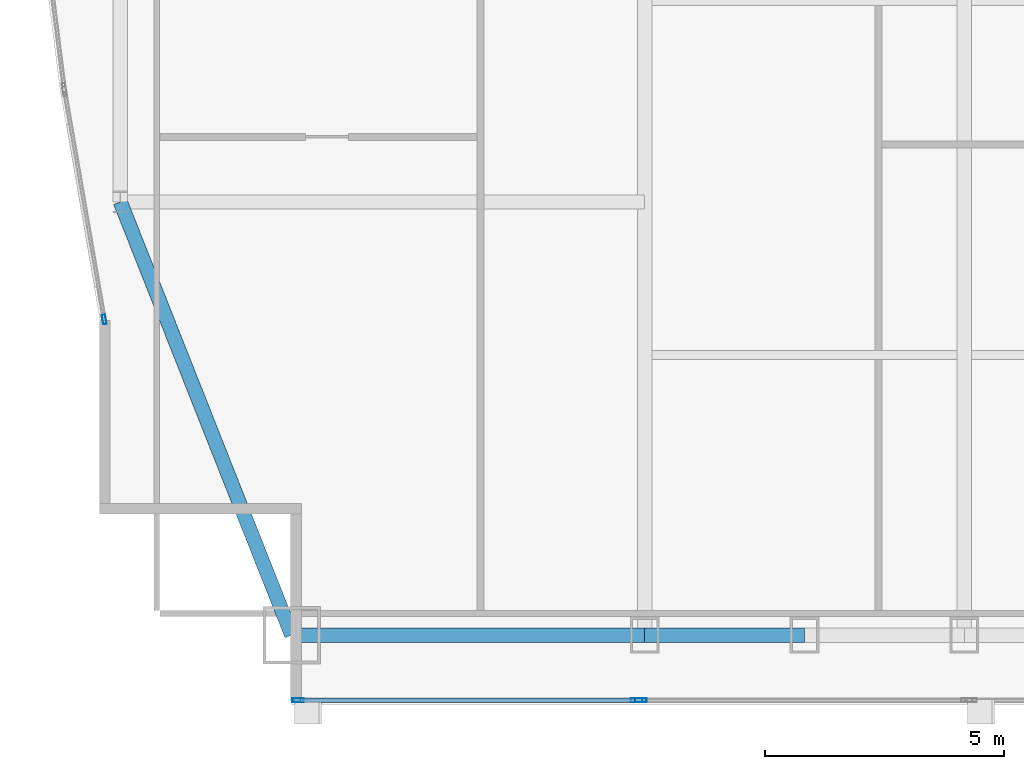
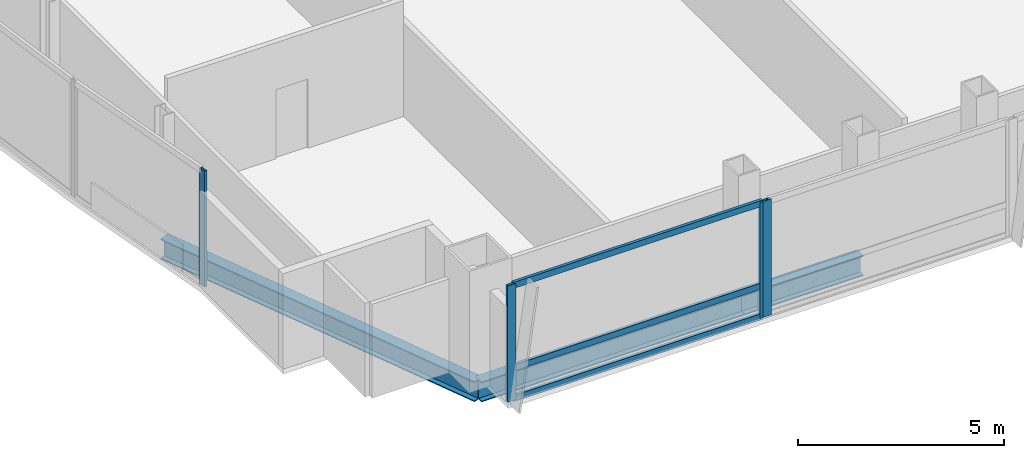
# One storey, part 5 of 30: 7 members, 3 beams, 3 elements without a shape of their own.
"""IFC4 building model written with IfcOpenShell, lengths in metres."""

from ifc_helpers import new_model, si_unit, direction, frame, origin, origin_2d, place, context, subcontext, project, spatial, hollow_rectangle, i_section, extrude, material, material_profile, profile_set, type_object, element, aggregate, save


model = new_model("IFC4")

# Units and contexts
model_context = context("Model", 3, precision=1e-05, world=origin(), true_north=direction((0.0, 1.0)))
body_context = subcontext(model_context, "Body", "Model", "MODEL_VIEW")
ifc_project = project(units=[si_unit("LENGTHUNIT", "METRE"), si_unit("AREAUNIT", "SQUARE_METRE"), si_unit("VOLUMEUNIT", "CUBIC_METRE"), si_unit("PLANEANGLEUNIT", "RADIAN"), si_unit("MASSUNIT", "GRAM", prefix="KILO")], contexts=[model_context])

# Site, building, storey
site_placement = place(None, origin())
site = spatial("IfcSite", under=ifc_project, at=site_placement, CompositionType="ELEMENT")
building_placement = place(site_placement, origin())
building = spatial("IfcBuilding", under=site, at=building_placement, Name="Khoronbel Lancet Exchange", CompositionType="ELEMENT")
storey_placement = place(building_placement, frame((0.0, 0.0, 224.60009765625)))
storey = spatial("IfcBuildingStorey", under=building, at=storey_placement, Name="L57", CompositionType="ELEMENT", Elevation=224.60009765625)

# Beams
ifc_material_1 = material(Name="Steel S355", Category="steel")
ifc_material_profile_1 = material_profile(ifc_material_1, i_section(OverallWidth=0.300048828125, OverallDepth=0.60009765625, WebThickness=0.015380859375, FlangeThickness=0.030029296875, at=origin_2d()), Name="HEB 600")
ifc_profile_set_1 = profile_set([ifc_material_profile_1], Name="Steel S355")
beam_type = type_object("IfcBeamType", Name="BM-BSP2", PredefinedType="SPANDREL", material=ifc_profile_set_1)
beam_1_placement = place(storey_placement, frame((10.85009765625, 10.14990234375, -0.460205078125), z_axis=(1.0, 0.0, 0.0), x_axis=(0.0, 1.0, 0.0)))
element("IfcBeam", 1, at=beam_1_placement, inside=storey, type_object=beam_type, Name="Level L57 perimeter spandrel beam SP01", PredefinedType="SPANDREL", context=body_context, shape_type="SweptSolid", body=[
    extrude(i_section(OverallWidth=0.300048828125, OverallDepth=0.60009765625, WebThickness=0.015380859375, FlangeThickness=0.030029296875, at=origin_2d()), origin(), (0.0, 0.0, 1.0), 7.375),
])
beam_2_placement = place(storey_placement, frame((18.22509765625, 10.14990234375, -0.460205078125), z_axis=(1.0, 0.0, 0.0), x_axis=(0.0, 1.0, 0.0)))
element("IfcBeam", 2, at=beam_2_placement, inside=storey, type_object=beam_type, Name="Level L57 perimeter spandrel beam SP02", PredefinedType="SPANDREL", context=body_context, shape_type="SweptSolid", body=[
    extrude(i_section(OverallWidth=0.300048828125, OverallDepth=0.60009765625, WebThickness=0.015380859375, FlangeThickness=0.030029296875, at=origin_2d()), origin(), (0.0, 0.0, 1.0), 3.33740234375),
])
beam_3_placement = place(storey_placement, frame((7.27001953125, 19.199951171875, -0.460205078125), z_axis=(0.367850095026, -0.92988510451, 0.0), x_axis=(0.92988510451, 0.367850095026, 0.0)))
element("IfcBeam", 3, at=beam_3_placement, inside=storey, type_object=beam_type, Name="Level L57 perimeter spandrel beam SP21", PredefinedType="SPANDREL", context=body_context, shape_type="SweptSolid", body=[
    extrude(i_section(OverallWidth=0.300048828125, OverallDepth=0.60009765625, WebThickness=0.015380859375, FlangeThickness=0.030029296875, at=origin_2d()), origin(), (0.0, 0.0, 1.0), 9.732421875),
])

# Curtain wall, members
ifc_material_2 = material(Name="Low-E Solar Control Insulating Glass", Category="glass")
curtain_wall_type_1 = type_object("IfcCurtainWallType", Name="CW-3", PredefinedType="NOTDEFINED", material=ifc_material_2)
curtain_wall_1_placement = place(storey_placement, origin())
curtain_wall_1 = element("IfcCurtainWall", 4, at=curtain_wall_1_placement, inside=storey, type_object=curtain_wall_type_1, Name="Unitised curtain wall CW-L57-SWV", PredefinedType="NOTDEFINED")
ifc_material_3 = material(Name="Bronze-Anodised Aluminium 6063-T6", Category="aluminium")
ifc_material_profile_2 = material_profile(ifc_material_3, hollow_rectangle(XDim=0.0849609375, YDim=0.239990234375, WallThickness=0.006103515625, at=origin_2d()), Name="ALU MULLION 85x240")
ifc_profile_set_2 = profile_set([ifc_material_profile_2], Name="Bronze-Anodised Aluminium 6063-T6")
member_type_1 = type_object("IfcMemberType", Name="MEM-CWM1", PredefinedType="MULLION", material=ifc_profile_set_2)
member_1_placement = place(storey_placement, frame((10.982421875, 8.7900390625, 0.0), z_axis=(0.0, 0.0, 1.0), x_axis=(0.0, 1.0, 0.0)))
member_1 = element("IfcMember", 5, at=member_1_placement, type_object=member_type_1, Name="CW3 mullion 1", PredefinedType="MULLION", context=body_context, shape_type="SweptSolid", body=[
    extrude(hollow_rectangle(XDim=0.0849609375, YDim=0.239990234375, WallThickness=0.006103515625, at=origin_2d()), origin(), (0.0, 0.0, 1.0), 3.43994140625),
])
member_2_placement = place(storey_placement, frame((18.0576171875, 8.7900390625, 0.0), z_axis=(0.0, 0.0, 1.0), x_axis=(0.0, 1.0, 0.0)))
member_2 = element("IfcMember", 6, at=member_2_placement, type_object=member_type_1, Name="CW3 mullion 2", PredefinedType="MULLION", context=body_context, shape_type="SweptSolid", body=[
    extrude(hollow_rectangle(XDim=0.0849609375, YDim=0.239990234375, WallThickness=0.006103515625, at=origin_2d()), origin(), (0.0, 0.0, 1.0), 3.43994140625),
])

# Curtain wall, member
curtain_wall_2_placement = place(storey_placement, origin())
curtain_wall_2 = element("IfcCurtainWall", 7, at=curtain_wall_2_placement, inside=storey, type_object=curtain_wall_type_1, Name="Unitised curtain wall CW-L57-SWB", PredefinedType="NOTDEFINED")
member_3_placement = place(storey_placement, frame((18.142578125, 8.7900390625, 0.0), z_axis=(0.0, 0.0, 1.0), x_axis=(0.0, 1.0, 0.0)))
member_3 = element("IfcMember", 8, at=member_3_placement, type_object=member_type_1, Name="CW3 mullion 1", PredefinedType="MULLION", context=body_context, shape_type="SweptSolid", body=[
    extrude(hollow_rectangle(XDim=0.0849609375, YDim=0.239990234375, WallThickness=0.006103515625, at=origin_2d()), origin(), (0.0, 0.0, 1.0), 3.43994140625),
])
aggregate(curtain_wall_2, [member_3])

curtain_wall_type_2 = type_object("IfcCurtainWallType", Name="CW-4", PredefinedType="NOTDEFINED", material=ifc_material_2)
curtain_wall_3_placement = place(storey_placement, origin())
curtain_wall_3 = element("IfcCurtainWall", 9, at=curtain_wall_3_placement, inside=storey, type_object=curtain_wall_type_2, Name="Unitised curtain wall CW-L57-E04", PredefinedType="NOTDEFINED")
ifc_material_profile_3 = material_profile(ifc_material_3, hollow_rectangle(XDim=0.074951171875, YDim=0.199951171875, WallThickness=0.0048828125, at=origin_2d()), Name="ALU MULLION 75x200")
ifc_profile_set_3 = profile_set([ifc_material_profile_3], Name="Bronze-Anodised Aluminium 6063-T6")
member_type_2 = type_object("IfcMemberType", Name="MEM-CWM2", PredefinedType="MULLION", material=ifc_profile_set_3)
member_4_placement = place(storey_placement, frame((6.93359375, 16.74462890625, 0.0), z_axis=(0.0, 0.0, 1.0), x_axis=(-0.985299795883, -0.170834165885, 0.0)))
member_4 = element("IfcMember", 10, at=member_4_placement, type_object=member_type_2, Name="CW4 mullion 1", PredefinedType="MULLION", context=body_context, shape_type="SweptSolid", body=[
    extrude(hollow_rectangle(XDim=0.074951171875, YDim=0.199951171875, WallThickness=0.0048828125, at=origin_2d()), origin(), (0.0, 0.0, 1.0), 3.43994140625),
])
aggregate(curtain_wall_3, [member_4])

# Member
ifc_material_profile_4 = material_profile(ifc_material_3, hollow_rectangle(XDim=0.0849609375, YDim=0.179931640625, WallThickness=0.0048828125, at=origin_2d()), Name="ALU TRANSOM 85x180")
ifc_profile_set_4 = profile_set([ifc_material_profile_4], Name="Bronze-Anodised Aluminium 6063-T6")
member_type_3 = type_object("IfcMemberType", Name="MEM-CWT1", PredefinedType="USERDEFINED", material=ifc_profile_set_4)
member_5_placement = place(storey_placement, frame((11.02490234375, 8.7900390625, 0.04248046875), z_axis=(1.0, 0.0, 0.0), x_axis=(0.0, 1.0, 0.0)))
member_5 = element("IfcMember", 11, at=member_5_placement, type_object=member_type_3, Name="CW3 transom 1.1", ObjectType="TRANSOM", PredefinedType="USERDEFINED", context=body_context, shape_type="SweptSolid", body=[
    extrude(hollow_rectangle(XDim=0.0849609375, YDim=0.179931640625, WallThickness=0.0048828125, at=origin_2d()), origin(), (0.0, 0.0, 1.0), 6.989990234375),
])

member_6_placement = place(storey_placement, frame((11.02490234375, 8.7900390625, 0.949951171875), z_axis=(1.0, 0.0, 0.0), x_axis=(0.0, 1.0, 0.0)))
member_6 = element("IfcMember", 12, at=member_6_placement, type_object=member_type_3, Name="CW3 transom 1.2", ObjectType="TRANSOM", PredefinedType="USERDEFINED", context=body_context, shape_type="SweptSolid", body=[
    extrude(hollow_rectangle(XDim=0.0849609375, YDim=0.179931640625, WallThickness=0.0048828125, at=origin_2d()), origin(), (0.0, 0.0, 1.0), 6.989990234375),
])

member_7_placement = place(storey_placement, frame((11.02490234375, 8.7900390625, 3.3974609375), z_axis=(1.0, 0.0, 0.0), x_axis=(0.0, 1.0, 0.0)))
member_7 = element("IfcMember", 13, at=member_7_placement, type_object=member_type_3, Name="CW3 transom 1.3", ObjectType="TRANSOM", PredefinedType="USERDEFINED", context=body_context, shape_type="SweptSolid", body=[
    extrude(hollow_rectangle(XDim=0.0849609375, YDim=0.179931640625, WallThickness=0.0048828125, at=origin_2d()), origin(), (0.0, 0.0, 1.0), 6.989990234375),
])

aggregate(curtain_wall_1, [member_1, member_2, member_5, member_6, member_7])

save(model, "model.ifc")
